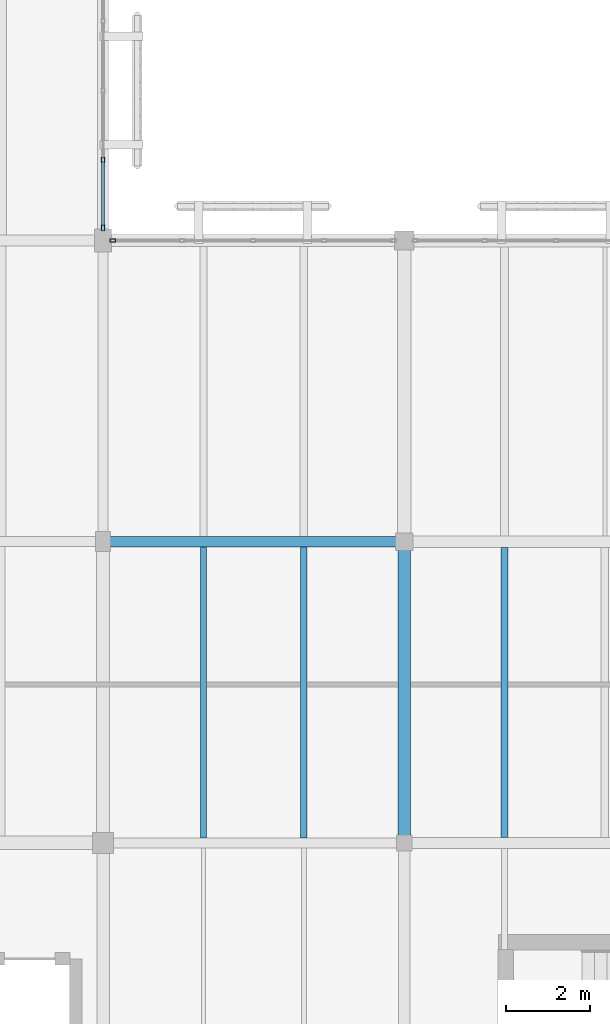
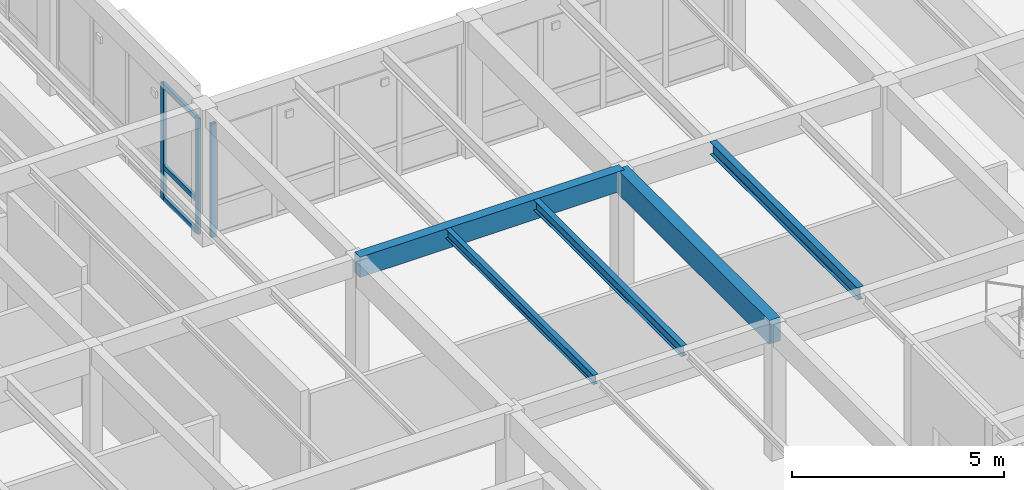
# One storey, part 13 of 112: 6 members, 5 beams, 2 elements without a shape of their own.
"""IFC4 building model written with IfcOpenShell, lengths in metres."""

from ifc_helpers import new_model, si_unit, direction, frame, origin, origin_2d, place, context, subcontext, project, spatial, rectangle, hollow_rectangle, i_section, extrude, material, layer, layer_set, material_profile, profile_set, type_object, element, aggregate, save


model = new_model("IFC4")

# Units and contexts
model_context = context("Model", 3, precision=1e-05, world=origin(), true_north=direction((0.0, 1.0)))
body_context = subcontext(model_context, "Body", "Model", "MODEL_VIEW")
ifc_project = project(units=[si_unit("LENGTHUNIT", "METRE"), si_unit("AREAUNIT", "SQUARE_METRE"), si_unit("VOLUMEUNIT", "CUBIC_METRE"), si_unit("PLANEANGLEUNIT", "RADIAN"), si_unit("MASSUNIT", "GRAM", prefix="KILO")], contexts=[model_context])

# Site, building, storey
site_placement = place(None, origin())
site = spatial("IfcSite", under=ifc_project, at=site_placement, CompositionType="ELEMENT")
building_placement = place(site_placement, origin())
building = spatial("IfcBuilding", under=site, at=building_placement, Name="Mazaris Harbour Polytechnic", CompositionType="ELEMENT")
storey_placement = place(building_placement, frame((0.0, 0.0, 13.800048828125)))
storey = spatial("IfcBuildingStorey", under=building, at=storey_placement, Name="L03", CompositionType="ELEMENT", Elevation=13.800048828125)

# Curtain wall, member
ifc_material_1 = material(Name="Anodised Bronze Aluminium and Low-E Glass", Category="aluminium")
ifc_layer = layer(ifc_material_1, 0.159912109375, Name="Anodised Bronze Aluminium and Low-E Glass")
ifc_layer_set = layer_set([ifc_layer], Name="Anodised Bronze Aluminium and Low-E Glass")
curtain_wall_type = type_object("IfcCurtainWallType", Name="Cloister Court Curtain Wall", PredefinedType="NOTDEFINED", material=ifc_layer_set)
curtain_wall_1_placement = place(storey_placement, origin())
curtain_wall_1 = element("IfcCurtainWall", 1, at=curtain_wall_1_placement, inside=storey, type_object=curtain_wall_type, Name="V4 L03 Curtain Wall 150", PredefinedType="NOTDEFINED")
ifc_material_2 = material(Name="Anodised Bronze Steel S355", Category="steel")
ifc_material_profile_1 = material_profile(ifc_material_2, hollow_rectangle(XDim=0.080078125, YDim=0.139892578125, WallThickness=0.00634765625, at=origin_2d()), Name="RHS 80x140x6.3")
ifc_profile_set_1 = profile_set([ifc_material_profile_1], Name="Anodised Bronze Steel S355")
member_type_1 = type_object("IfcMemberType", Name="Curtain Mullion RHS80x140", PredefinedType="MULLION", material=ifc_profile_set_1)
member_1_placement = place(storey_placement, frame((14.632080078125, 36.0, 0.0), z_axis=(0.0, 0.0, 1.0), x_axis=(0.0, 1.0, 0.0)))
member_1 = element("IfcMember", 2, at=member_1_placement, type_object=member_type_1, Name="CW-02 mullion 1", PredefinedType="MULLION", context=body_context, shape_type="SweptSolid", body=[
    extrude(hollow_rectangle(XDim=0.080078125, YDim=0.139892578125, WallThickness=0.00634765625, at=origin_2d()), origin(), (0.0, 0.0, 1.0), 3.27001953125),
])
aggregate(curtain_wall_1, [member_1])

# Curtain wall, members
curtain_wall_2_placement = place(storey_placement, origin())
curtain_wall_2 = element("IfcCurtainWall", 3, at=curtain_wall_2_placement, inside=storey, type_object=curtain_wall_type, Name="V4 L03 Curtain Wall 154", PredefinedType="NOTDEFINED")
member_2_placement = place(storey_placement, frame((14.39990234375, 36.302001953125, 0.0), z_axis=(0.0, 0.0, 1.0), x_axis=(-1.0, 0.0, 0.0)))
member_2 = element("IfcMember", 4, at=member_2_placement, type_object=member_type_1, Name="CW-02 mullion 1", PredefinedType="MULLION", context=body_context, shape_type="SweptSolid", body=[
    extrude(hollow_rectangle(XDim=0.080078125, YDim=0.139892578125, WallThickness=0.00634765625, at=origin_2d()), origin(), (0.0, 0.0, 1.0), 3.329833984375),
])
member_3_placement = place(storey_placement, frame((14.39990234375, 37.923583984375, 0.0), z_axis=(0.0, 0.0, 1.0), x_axis=(-1.0, 0.0, 0.0)))
member_3 = element("IfcMember", 5, at=member_3_placement, type_object=member_type_1, Name="CW-02 mullion 2", PredefinedType="MULLION", context=body_context, shape_type="SweptSolid", body=[
    extrude(hollow_rectangle(XDim=0.080078125, YDim=0.139892578125, WallThickness=0.00634765625, at=origin_2d()), origin(), (0.0, 0.0, 1.0), 3.329833984375),
])
ifc_material_3 = material(Name="Anodised Bronze Steel S355", Category="steel")
ifc_material_profile_2 = material_profile(ifc_material_3, hollow_rectangle(XDim=0.080078125, YDim=0.139892578125, WallThickness=0.00634765625, at=origin_2d()), Name="RHS 80x140x6.3")
ifc_profile_set_2 = profile_set([ifc_material_profile_2], Name="Anodised Bronze Steel S355")
member_type_2 = type_object("IfcMemberType", Name="Curtain Transom RHS80x140", PredefinedType="USERDEFINED", material=ifc_profile_set_2)
member_4_placement = place(storey_placement, frame((14.39990234375, 36.342041015625, 0.0400390625), z_axis=(0.0, 1.0, 0.0), x_axis=(-1.0, 0.0, 0.0)))
member_4 = element("IfcMember", 6, at=member_4_placement, type_object=member_type_2, Name="CW-02 transom 1.1", ObjectType="TRANSOM", PredefinedType="USERDEFINED", context=body_context, shape_type="SweptSolid", body=[
    extrude(hollow_rectangle(XDim=0.080078125, YDim=0.139892578125, WallThickness=0.00634765625, at=origin_2d()), origin(), (0.0, 0.0, 1.0), 1.54150390625),
])
member_5_placement = place(storey_placement, frame((14.39990234375, 36.342041015625, 0.949951171875), z_axis=(0.0, 1.0, 0.0), x_axis=(-1.0, 0.0, 0.0)))
member_5 = element("IfcMember", 7, at=member_5_placement, type_object=member_type_2, Name="CW-02 transom 1.2", ObjectType="TRANSOM", PredefinedType="USERDEFINED", context=body_context, shape_type="SweptSolid", body=[
    extrude(hollow_rectangle(XDim=0.080078125, YDim=0.139892578125, WallThickness=0.00634765625, at=origin_2d()), origin(), (0.0, 0.0, 1.0), 1.54150390625),
])
member_6_placement = place(storey_placement, frame((14.39990234375, 36.342041015625, 3.2900390625), z_axis=(0.0, 1.0, 0.0), x_axis=(-1.0, 0.0, 0.0)))
member_6 = element("IfcMember", 8, at=member_6_placement, type_object=member_type_2, Name="CW-02 transom 1.3", ObjectType="TRANSOM", PredefinedType="USERDEFINED", context=body_context, shape_type="SweptSolid", body=[
    extrude(hollow_rectangle(XDim=0.080078125, YDim=0.139892578125, WallThickness=0.00634765625, at=origin_2d()), origin(), (0.0, 0.0, 1.0), 1.54150390625),
])
aggregate(curtain_wall_2, [member_2, member_3, member_4, member_5, member_6])

# Beams
ifc_material_4 = material(Name="Glulam GL32h", Category="wood")
ifc_material_profile_3 = material_profile(ifc_material_4, rectangle(XDim=0.260009765625, YDim=0.580078125, at=origin_2d()), Name="RECT260x580")
ifc_profile_set_3 = profile_set([ifc_material_profile_3], Name="Glulam GL32h")
beam_type_1 = type_object("IfcBeamType", Name="Glulam Girder 260x580", PredefinedType="BEAM", material=ifc_profile_set_3)
beam_1_placement = place(storey_placement, frame((14.39990234375, 28.800048828125, 3.6298828125), z_axis=(1.0, 0.0, 0.0), x_axis=(0.0, 1.0, 0.0)))
element("IfcBeam", 9, at=beam_1_placement, inside=storey, type_object=beam_type_1, Name="V4 L03 Girder 2186", PredefinedType="BEAM", context=body_context, shape_type="SweptSolid", body=[
    extrude(rectangle(XDim=0.260009765625, YDim=0.580078125, at=origin_2d()), origin(), (0.0, 0.0, 1.0), 7.2001953125),
])
ifc_material_5 = material(Name="Glulam GL32h", Category="wood")
ifc_material_profile_4 = material_profile(ifc_material_5, rectangle(XDim=0.300048828125, YDim=0.679931640625, at=origin_2d()), Name="RECT300x680")
ifc_profile_set_4 = profile_set([ifc_material_profile_4], Name="Glulam GL32h")
beam_type_2 = type_object("IfcBeamType", Name="Glulam Girder 300x680", PredefinedType="BEAM", material=ifc_profile_set_4)
beam_2_placement = place(storey_placement, frame((21.60009765625, 21.60009765625, 3.579833984375), z_axis=(0.0, 1.0, 0.0), x_axis=(-1.0, 0.0, 0.0)))
element("IfcBeam", 10, at=beam_2_placement, inside=storey, type_object=beam_type_2, Name="V4 L03 Tie Girder 2248", PredefinedType="BEAM", context=body_context, shape_type="SweptSolid", body=[
    extrude(rectangle(XDim=0.300048828125, YDim=0.679931640625, at=origin_2d()), origin(), (0.0, 0.0, 1.0), 7.199951171875),
])
ifc_material_6 = material(Name="Steel S355", Category="steel")
ifc_material_profile_5 = material_profile(ifc_material_6, i_section(OverallWidth=0.135009765625, OverallDepth=0.27001953125, WebThickness=0.006591796875, FlangeThickness=0.01025390625, FilletRadius=0.014892578125, at=origin_2d()), Name="IPE 270")
ifc_profile_set_5 = profile_set([ifc_material_profile_5], Name="Steel S355")
beam_type_3 = type_object("IfcBeamType", Name="Steel Joist IPE270", PredefinedType="JOIST", material=ifc_profile_set_5)
beam_3_placement = place(storey_placement, frame((16.800048828125, 21.719970703125, 3.784912109375), z_axis=(0.0, 1.0, 0.0), x_axis=(-1.0, 0.0, 0.0)))
element("IfcBeam", 11, at=beam_3_placement, inside=storey, type_object=beam_type_3, Name="V4 L03 Floor Joist 2312", PredefinedType="JOIST", context=body_context, shape_type="SweptSolid", body=[
    extrude(i_section(OverallWidth=0.135009765625, OverallDepth=0.27001953125, WebThickness=0.006591796875, FlangeThickness=0.01025390625, FilletRadius=0.014892578125, at=origin_2d()), origin(), (0.0, 0.0, 1.0), 6.949951171875),
])
ifc_material_7 = material(Name="Steel S355", Category="steel")
ifc_material_profile_6 = material_profile(ifc_material_7, i_section(OverallWidth=0.14990234375, OverallDepth=0.300048828125, WebThickness=0.007080078125, FlangeThickness=0.0107421875, FilletRadius=0.014892578125, at=origin_2d()), Name="IPE 300")
ifc_profile_set_6 = profile_set([ifc_material_profile_6], Name="Steel S355")
beam_type_4 = type_object("IfcBeamType", Name="Steel Joist IPE300", PredefinedType="JOIST", material=ifc_profile_set_6)
beam_4_placement = place(storey_placement, frame((19.199951171875, 21.719970703125, 3.77001953125), z_axis=(0.0, 1.0, 0.0), x_axis=(-1.0, 0.0, 0.0)))
element("IfcBeam", 12, at=beam_4_placement, inside=storey, type_object=beam_type_4, Name="V4 L03 Floor Joist 2313", PredefinedType="JOIST", context=body_context, shape_type="SweptSolid", body=[
    extrude(i_section(OverallWidth=0.14990234375, OverallDepth=0.300048828125, WebThickness=0.007080078125, FlangeThickness=0.0107421875, FilletRadius=0.014892578125, at=origin_2d()), origin(), (0.0, 0.0, 1.0), 6.949951171875),
])
ifc_material_8 = material(Name="Steel S355", Category="steel")
ifc_material_profile_7 = material_profile(ifc_material_8, i_section(OverallWidth=0.169921875, OverallDepth=0.360107421875, WebThickness=0.008056640625, FlangeThickness=0.0126953125, FilletRadius=0.01806640625, at=origin_2d()), Name="IPE 360")
ifc_profile_set_7 = profile_set([ifc_material_profile_7], Name="Steel S355")
beam_type_5 = type_object("IfcBeamType", Name="Steel Joist IPE360", PredefinedType="JOIST", material=ifc_profile_set_7)
beam_5_placement = place(storey_placement, frame((24.0, 21.72998046875, 3.739990234375), z_axis=(0.0, 1.0, 0.0), x_axis=(-1.0, 0.0, 0.0)))
element("IfcBeam", 13, at=beam_5_placement, inside=storey, type_object=beam_type_5, Name="V4 L03 Floor Joist 2321", PredefinedType="JOIST", context=body_context, shape_type="SweptSolid", body=[
    extrude(i_section(OverallWidth=0.169921875, OverallDepth=0.360107421875, WebThickness=0.008056640625, FlangeThickness=0.0126953125, FilletRadius=0.01806640625, at=origin_2d()), origin(), (0.0, 0.0, 1.0), 6.929931640625),
])

save(model, "model.ifc")
